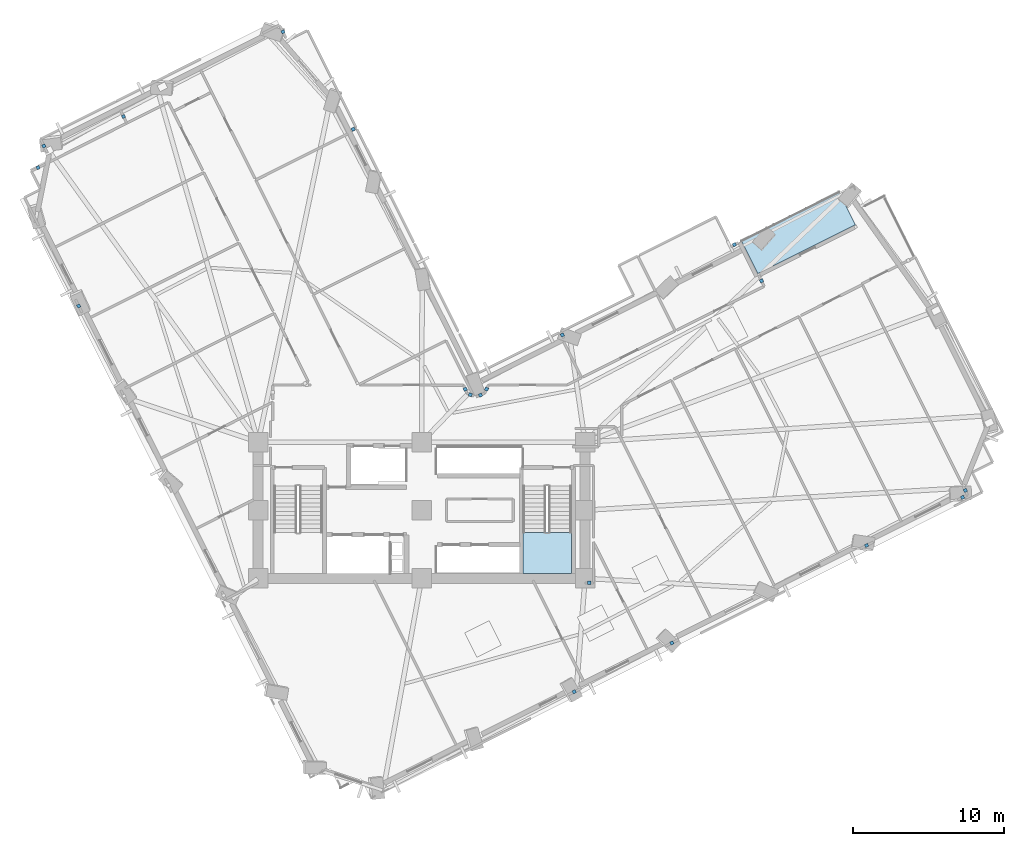
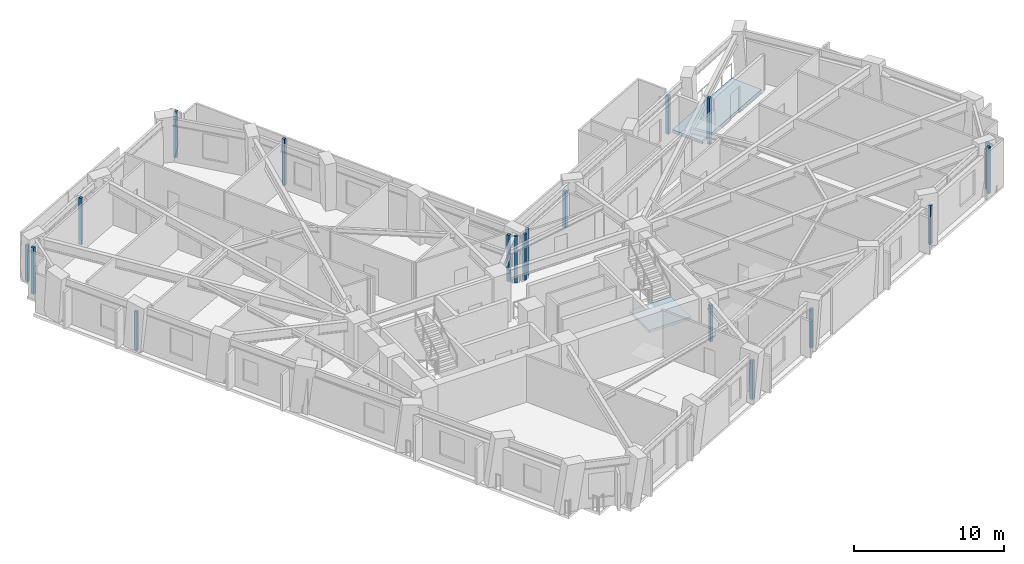
# One storey, part 5 of 16: 19 plates, 2 slabs, 1 element without a shape of its own.
"""IFC4 building model written with IfcOpenShell, lengths in metres."""

import ifcopenshell
import ifcopenshell.guid

model = None  # the IFC model being written
_history = None  # IfcOwnerHistory: only IFC2X3 demands one
_inside = {}  # id of a spatial element -> (the spatial element, [elements in it])
_under = {}  # id of a project, library or spatial element -> (it, [spatial elements below it])
_declared = {}  # id of a project -> (the project, [libraries it declares])
_typed = {}  # id of a type object -> (the type object, [elements of that type])
_made_of = {}  # id of a material, layer set ... -> (it, [elements and type objects made of it])


def new_model(schema):
    """Start an empty IFC model of exactly this schema.

    Asked for "IFC4X3", IfcOpenShell would pick the latest addendum, in which some entities
    have other attributes; the version numbers below select the first issue.
    IFC2X3 requires an IfcOwnerHistory on every rooted entity: one is made here for all.
    """
    global model, _history
    if schema == "IFC4X3":
        model = ifcopenshell.file(schema_version=(4, 3, 0, 0))
    else:
        model = ifcopenshell.file(schema=schema)
    _inside.clear()
    _under.clear()
    _declared.clear()
    _typed.clear()
    _made_of.clear()
    _history = None
    if model.schema == "IFC2X3":
        org = make("IfcOrganization", Name="unknown")
        user = make(
            "IfcPersonAndOrganization",
            ThePerson=make("IfcPerson", FamilyName="unknown"),
            TheOrganization=org,
        )
        app = make(
            "IfcApplication",
            ApplicationDeveloper=org,
            Version="unknown",
            ApplicationFullName="unknown",
            ApplicationIdentifier="unknown",
        )
        _history = make(
            "IfcOwnerHistory",
            OwningUser=user,
            OwningApplication=app,
            ChangeAction="ADDED",
            CreationDate=0,
        )
    return model


def make(cls, **values):
    """One entity of the class cls with the attributes given. An attribute that is None is left unset."""
    return model.create_entity(
        cls, **{name: value for name, value in values.items() if value is not None}
    )


def rooted(cls, **values):
    """An entity with a GlobalId (a new one), such as an element, a storey or a relation."""
    return make(cls, GlobalId=ifcopenshell.guid.new(), OwnerHistory=_history, **values)


def si_unit(unit_type, name, prefix=None):
    """IfcSIUnit, for example si_unit("LENGTHUNIT", "METRE", prefix="MILLI")."""
    return make("IfcSIUnit", UnitType=unit_type, Prefix=prefix, Name=name)


def assignment(units):
    """IfcUnitAssignment: the units of a project."""
    return None if units is None else make("IfcUnitAssignment", Units=units)


def point(xyz):
    """IfcCartesianPoint."""
    return None if xyz is None else make("IfcCartesianPoint", Coordinates=xyz)


def direction(xyz):
    """IfcDirection."""
    return None if xyz is None else make("IfcDirection", DirectionRatios=xyz)


def frame(location, z_axis=None, x_axis=None):
    """IfcAxis2Placement3D, a coordinate frame: its origin and axes. An axis left out is left unset."""
    return make(
        "IfcAxis2Placement3D",
        Location=point(location),
        Axis=direction(z_axis),
        RefDirection=direction(x_axis),
    )


def frame_2d(location, x_axis=None):
    """IfcAxis2Placement2D, a coordinate frame in the plane: its origin and x axis."""
    return make(
        "IfcAxis2Placement2D", Location=point(location), RefDirection=direction(x_axis)
    )


def origin():
    """The frame at (0, 0, 0) with its axes left unset."""
    return frame((0.0, 0.0, 0.0))


def origin_2d():
    """The frame at (0, 0) in the plane with its x axis left unset."""
    return frame_2d((0.0, 0.0))


def place(relative_to, where):
    """IfcLocalPlacement: puts the frame where relative to a parent placement (None: the world)."""
    return make(
        "IfcLocalPlacement", PlacementRelTo=relative_to, RelativePlacement=where
    )


def context(
    kind, dimensions, precision=None, world=None, true_north=None, identifier=None
):
    """IfcGeometricRepresentationContext, for example the 3D "Model" context."""
    return make(
        "IfcGeometricRepresentationContext",
        ContextIdentifier=identifier,
        ContextType=kind,
        CoordinateSpaceDimension=dimensions,
        Precision=precision,
        WorldCoordinateSystem=world,
        TrueNorth=true_north,
    )


def subcontext(parent, identifier, kind, view, scale=None):
    """IfcGeometricRepresentationSubContext, for example "Body" below "Model"."""
    return make(
        "IfcGeometricRepresentationSubContext",
        ContextIdentifier=identifier,
        ContextType=kind,
        ParentContext=parent,
        TargetScale=scale,
        TargetView=view,
    )


def project(units=None, contexts=None):
    """IfcProject with its units and contexts."""
    return rooted(
        "IfcProject",
        Name="project",
        RepresentationContexts=contexts,
        UnitsInContext=assignment(units),
    )


def spatial(cls, under=None, at=None, **own):
    """A site, building, storey or space (cls), placed at a placement, below another one or the project."""
    s = rooted(cls, ObjectPlacement=at, **own)
    if under is not None:
        _under.setdefault(under.id(), (under, []))[1].append(s)
    return s


def polyline(points):
    """IfcPolyline through the points."""
    return make("IfcPolyline", Points=[point(p) for p in points])


def profile(cls, at=None, kind="AREA", **sizes):
    """A parametric profile (cls). Its sizes go by their IFC names, for example OverallWidth=200.0."""
    return make(cls, ProfileType=kind, Position=at, **sizes)


def rectangle(**sizes):
    """IfcRectangleProfileDef."""
    return profile("IfcRectangleProfileDef", **sizes)


def outline(outer, holes=None, kind="AREA"):
    """IfcArbitraryClosedProfileDef: a profile drawn as a closed curve; with holes, ...WithVoids."""
    if holes is None:
        return make("IfcArbitraryClosedProfileDef", ProfileType=kind, OuterCurve=outer)
    return make(
        "IfcArbitraryProfileDefWithVoids",
        ProfileType=kind,
        OuterCurve=outer,
        InnerCurves=holes,
    )


def extrude(swept, where, along, depth):
    """IfcExtrudedAreaSolid: the profile swept, set in the frame where, extruded along a direction by depth."""
    return make(
        "IfcExtrudedAreaSolid",
        SweptArea=swept,
        Position=where,
        ExtrudedDirection=direction(along),
        Depth=depth,
    )


def shape(context_of_items, identifier, shape_type, items):
    """IfcShapeRepresentation: the items that make up one representation, for example the "Body"."""
    return make(
        "IfcShapeRepresentation",
        ContextOfItems=context_of_items,
        RepresentationIdentifier=identifier,
        RepresentationType=shape_type,
        Items=items,
    )


def material(Name=None, Category=None):
    """IfcMaterial."""
    return make("IfcMaterial", Name=Name, Category=Category)


def layer(
    of_material, thickness, ventilated=None, Name=None, Category=None, Priority=None
):
    """IfcMaterialLayer: one layer of a wall or slab, of a material (None: an air gap)."""
    return make(
        "IfcMaterialLayer",
        Material=of_material,
        LayerThickness=thickness,
        IsVentilated=ventilated,
        Name=Name,
        Category=Category,
        Priority=Priority,
    )


def layer_set(layers, Name=None):
    """IfcMaterialLayerSet."""
    return make("IfcMaterialLayerSet", MaterialLayers=layers, LayerSetName=Name)


def made_of(thing, what):
    """Note that an element or type object is made of a material, layer set ...; save() writes the relation."""
    if what is not None:
        _made_of.setdefault(what.id(), (what, []))[1].append(thing)
    return thing


def type_object(cls, material=None, **own):
    """A type object (cls), such as IfcWallType, which elements share."""
    return made_of(rooted(cls, **own), material)


def element(
    cls,
    number,
    at=None,
    inside=None,
    cuts=None,
    type_object=None,
    material=None,
    context=None,
    identifier="Body",
    shape_type=None,
    held_by="IfcProductDefinitionShape",
    body=None,
    shapes=None,
    **own,
):
    """One element of the class cls, such as IfcWall. Its Tag is "e" and its number.

    at: its placement. inside: the storey or other place that contains it. cuts: it is an
    opening in that element (IfcRelVoidsElement). A single representation is given by context,
    identifier, shape_type and body (its items); several are given by shapes. held_by: the class
    of the entity that holds the representations. save() writes the other relations.
    """
    e = rooted(cls, Tag="e%d" % number, ObjectPlacement=at, **own)
    if body is not None:
        shapes = [shape(context, identifier, shape_type, body)]
    if shapes is not None:
        e.Representation = make(held_by, Representations=shapes)
    if inside is not None:
        _inside.setdefault(inside.id(), (inside, []))[1].append(e)
    if cuts is not None:
        rooted(
            "IfcRelVoidsElement", RelatingBuildingElement=cuts, RelatedOpeningElement=e
        )
    if type_object is not None:
        _typed.setdefault(type_object.id(), (type_object, []))[1].append(e)
    return made_of(e, material)


def aggregate(whole, parts):
    """IfcRelAggregates: a whole, such as a stair, and the parts it consists of."""
    return rooted("IfcRelAggregates", RelatingObject=whole, RelatedObjects=parts)


def save(model, path):
    """Write the relations noted so far, then the file.

    IfcRelAggregates (storeys below a building ...), IfcRelContainedInSpatialStructure (elements
    in a storey), IfcRelDefinesByType, IfcRelAssociatesMaterial and IfcRelDeclares: one each for
    every whole, place, type object, material and project.
    """
    for whole, parts in _under.values():
        aggregate(whole, parts)
    for where, things in _inside.values():
        rooted(
            "IfcRelContainedInSpatialStructure",
            RelatedElements=things,
            RelatingStructure=where,
        )
    for kind, things in _typed.values():
        rooted("IfcRelDefinesByType", RelatedObjects=things, RelatingType=kind)
    for what, things in _made_of.values():
        rooted("IfcRelAssociatesMaterial", RelatedObjects=things, RelatingMaterial=what)
    for by, libraries in _declared.values():
        rooted("IfcRelDeclares", RelatingContext=by, RelatedDefinitions=libraries)
    model.write(path)


model = new_model("IFC4")

# Units and contexts
model_context = context("Model", 3, precision=1e-05, world=origin(), true_north=direction((0.0, 1.0)))
body_context = subcontext(model_context, "Body", "Model", "MODEL_VIEW")
ifc_project = project(units=[si_unit("LENGTHUNIT", "METRE"), si_unit("AREAUNIT", "SQUARE_METRE"), si_unit("VOLUMEUNIT", "CUBIC_METRE"), si_unit("PLANEANGLEUNIT", "RADIAN"), si_unit("MASSUNIT", "GRAM", prefix="KILO")], contexts=[model_context])

# Site, building, storey
site_placement = place(None, origin())
site = spatial("IfcSite", under=ifc_project, at=site_placement, CompositionType="ELEMENT")
building_placement = place(site_placement, origin())
building = spatial("IfcBuilding", under=site, at=building_placement, Name="Gaonmaruhae Medical Tower", CompositionType="ELEMENT")
storey_placement = place(building_placement, frame((0.0, 0.0, 136.39990234375)))
storey = spatial("IfcBuildingStorey", under=building, at=storey_placement, Name="L32", CompositionType="ELEMENT", Elevation=136.39990234375)

# Plates
ifc_material_1 = material(Name="Anodised aluminium 6063-T6", Category="aluminium")
ifc_layer_1 = layer(ifc_material_1, 0.011962890625)
ifc_layer_set_1 = layer_set([ifc_layer_1], Name="Anodised aluminium 6063-T6")
plate_type = type_object("IfcPlateType", Name="PP-01 Interior Partition Corner Stiffener Plate", PredefinedType="SHEET", material=ifc_layer_set_1)
plate_1_placement = place(storey_placement, frame((34.889404296875, 0.304443359375, 0.0), z_axis=(0.0, 0.0, 1.0), x_axis=(-0.893810118919, -0.448445616901, 0.0)))
element("IfcPlate", 1, at=plate_1_placement, inside=storey, type_object=plate_type, Name="L32 Partition Corner Stiffener Plate PLT-L32-JGP-PW009", PredefinedType="SHEET", context=body_context, shape_type="SweptSolid", body=[
    extrude(rectangle(XDim=0.219970703125, YDim=0.219970703125, at=origin_2d()), origin(), (0.0, 0.0, 1.0), 3.1650390625),
])
plate_2_placement = place(storey_placement, frame((35.875, 7.5, 0.0), z_axis=(0.0, 0.0, 1.0), x_axis=(1.0, 0.0, 0.0)))
element("IfcPlate", 2, at=plate_2_placement, inside=storey, type_object=plate_type, Name="L32 Partition Corner Stiffener Plate PLT-L32-JGP-PW012", PredefinedType="SHEET", context=body_context, shape_type="SweptSolid", body=[
    extrude(rectangle(XDim=0.219970703125, YDim=0.219970703125, at=origin_2d()), origin(), (0.0, 0.0, 1.0), 2.965087890625),
])
for number, where, z_axis, x_axis, name in (
    (3, (41.326904296875, 3.528076171875, 0.0), (0.0, 0.0, 1.0), (-0.894021344687, -0.448024369028, 0.0), "L32 Partition Corner Stiffener Plate PLT-L32-JGP-PW019"),
    (4, (54.201904296875, 9.97607421875, 0.0), (0.0, 0.0, 1.0), (-0.894013525051, -0.448039972576, 0.0), "L32 Partition Corner Stiffener Plate PLT-L32-JGP-PW030"),
):
    element("IfcPlate", number, at=place(storey_placement, frame(where, z_axis=z_axis, x_axis=x_axis)), inside=storey, type_object=plate_type, Name=name, PredefinedType="SHEET", context=body_context, shape_type="SweptSolid", body=[
        extrude(rectangle(XDim=0.219970703125, YDim=0.219970703125, at=origin_2d()), origin(), (0.0, 0.0, 1.0), 3.1650390625),
    ])
for number, where, z_axis, x_axis, name in (
    (5, (60.724609375, 13.6025390625, 0.0), (0.0, 0.0, 1.0), (0.447837115811, -0.894115159083, 0.0), "L32 Partition Corner Stiffener Plate PLT-L32-JGP-PW033"),
    (6, (60.5439453125, 13.15087890625, 0.0), (0.0, 0.0, 1.0), (-0.893872725027, -0.448320813094, 0.0), "L32 Partition Corner Stiffener Plate PLT-L32-JGP-PW034"),
):
    element("IfcPlate", number, at=place(storey_placement, frame(where, z_axis=z_axis, x_axis=x_axis)), inside=storey, type_object=plate_type, Name=name, PredefinedType="SHEET", context=body_context, shape_type="SweptSolid", body=[
        extrude(rectangle(XDim=0.219970703125, YDim=0.219970703125, at=origin_2d()), origin(), (0.0, 0.0, 1.0), 3.780029296875),
    ])
plate_3_placement = place(storey_placement, frame((2.146484375, 25.79248046875, 0.0), z_axis=(0.0, 0.0, 1.0), x_axis=(-0.448461216762, 0.893802291931, 0.0)))
element("IfcPlate", 7, at=plate_3_placement, inside=storey, type_object=plate_type, Name="L32 Partition Corner Stiffener Plate PLT-L32-JGP-PW054", PredefinedType="SHEET", context=body_context, shape_type="SweptSolid", body=[
    extrude(rectangle(XDim=0.219970703125, YDim=0.219970703125, at=origin_2d()), origin(), (0.0, 0.0, 1.0), 3.1650390625),
])
for number, where, z_axis, x_axis, name in (
    (8, (-0.541015625, 34.935546875, 0.0), (0.0, 0.0, 1.0), (0.894427590455, 0.44721279659, 0.0), "L32 Partition Corner Stiffener Plate PLT-L32-JGP-PW055"),
    (9, (28.02001953125, 19.93310546875, 0.0), (0.0, 0.0, 1.0), (-0.923919601961, 0.382586681829, 0.0), "L32 Partition Corner Stiffener Plate PLT-L32-JGP-PW064"),
    (10, (27.6826171875, 20.2939453125, 0.0), (0.0, 0.0, 1.0), (-0.382409294949, 0.923993036303, 0.0), "L32 Partition Corner Stiffener Plate PLT-L32-JGP-PW065"),
    (11, (29.094970703125, 20.303466796875, 0.0), (0.0, 0.0, 1.0), (-0.406449624239, -0.913673192644, 0.0), "L32 Partition Corner Stiffener Plate PLT-L32-JGP-PW066"),
    (12, (28.68798828125, 19.909423828125, 0.0), (0.0, 0.0, 1.0), (-0.924039749516, -0.38229640505, 0.0), "L32 Partition Corner Stiffener Plate PLT-L32-JGP-PW067"),
):
    element("IfcPlate", number, at=place(storey_placement, frame(where, z_axis=z_axis, x_axis=x_axis)), inside=storey, type_object=plate_type, Name=name, PredefinedType="SHEET", context=body_context, shape_type="SweptSolid", body=[
        extrude(rectangle(XDim=0.219970703125, YDim=0.219970703125, at=origin_2d()), origin(), (0.0, 0.0, 1.0), 3.780029296875),
    ])
plate_4_placement = place(storey_placement, frame((34.089599609375, 23.884033203125, 0.0), z_axis=(0.0, 0.0, 1.0), x_axis=(-0.44721279659, 0.894427590455, 0.0)))
element("IfcPlate", 13, at=plate_4_placement, inside=storey, type_object=plate_type, Name="L32 Partition Corner Stiffener Plate PLT-L32-JGP-PW077", PredefinedType="SHEET", context=body_context, shape_type="SweptSolid", body=[
    extrude(rectangle(XDim=0.219970703125, YDim=0.219970703125, at=origin_2d()), origin(), (0.0, 0.0, 1.0), 2.965087890625),
])
plate_5_placement = place(storey_placement, frame((47.256103515625, 27.45556640625, 0.0), z_axis=(0.0, 0.0, 1.0), x_axis=(0.447712269419, -0.894177680225, 0.0)))
element("IfcPlate", 14, at=plate_5_placement, inside=storey, type_object=plate_type, Name="L32 Partition Corner Stiffener Plate PLT-L32-JGP-PW080", PredefinedType="SHEET", context=body_context, shape_type="SweptSolid", body=[
    extrude(rectangle(XDim=0.219970703125, YDim=0.219970703125, at=origin_2d()), origin(), (0.0, 0.0, 1.0), 3.780029296875),
])
plate_6_placement = place(storey_placement, frame((45.472412109375, 29.85009765625, 0.0), z_axis=(0.0, 0.0, 1.0), x_axis=(0.894068256787, 0.447930744876, 0.0)))
element("IfcPlate", 15, at=plate_6_placement, inside=storey, type_object=plate_type, Name="L32 Partition Corner Stiffener Plate PLT-L32-JGP-PW084", PredefinedType="SHEET", context=body_context, shape_type="SweptSolid", body=[
    extrude(rectangle(XDim=0.219970703125, YDim=0.219970703125, at=origin_2d()), origin(), (0.0, 0.0, 1.0), 3.14501953125),
])
for number, where, z_axis, x_axis, name in (
    (16, (20.281005859375, 37.47802734375, 0.0), (0.0, 0.0, 1.0), (-0.893332174447, -0.449396958266, 0.0), "L32 Partition Corner Stiffener Plate PLT-L32-JGP-PW092"),
    (17, (15.64111328125, 43.9130859375, 0.0), (0.0, 0.0, 1.0), (0.448960340163, -0.893551684549, 0.0), "L32 Partition Corner Stiffener Plate PLT-L32-JGP-PW095"),
    (18, (5.103515625, 38.3134765625, 0.0), (0.0, 0.0, 1.0), (0.447634235991, -0.894216747086, 0.0), "L32 Partition Corner Stiffener Plate PLT-L32-JGP-PW097"),
):
    element("IfcPlate", number, at=place(storey_placement, frame(where, z_axis=z_axis, x_axis=x_axis)), inside=storey, type_object=plate_type, Name=name, PredefinedType="SHEET", context=body_context, shape_type="SweptSolid", body=[
        extrude(rectangle(XDim=0.219970703125, YDim=0.219970703125, at=origin_2d()), origin(), (0.0, 0.0, 1.0), 3.780029296875),
    ])
plate_7_placement = place(storey_placement, frame((-0.153076171875, 36.3701171875, 0.0), z_axis=(0.0, 0.0, 1.0), x_axis=(-0.447993161523, 0.894036983143, 0.0)))
element("IfcPlate", 19, at=plate_7_placement, inside=storey, type_object=plate_type, Name="L32 Partition Corner Stiffener Plate PLT-L32-JGP-PW098", PredefinedType="SHEET", context=body_context, shape_type="SweptSolid", body=[
    extrude(rectangle(XDim=0.219970703125, YDim=0.219970703125, at=origin_2d()), origin(), (0.0, 0.0, 1.0), 2.965087890625),
])

# Stair, slab
ifc_material_2 = material(Name="Concrete C40/50", Category="concrete")
stair_type = type_object("IfcStairType", Name="ST-T1 Primary Core Escape Dogleg Stair", PredefinedType="TWO_QUARTER_TURN_STAIR", material=ifc_material_2)
stair_placement = place(storey_placement, origin())
stair = element("IfcStair", 20, at=stair_placement, inside=storey, type_object=stair_type, Name="L32 Protected Escape Stair ST-02", PredefinedType="TWO_QUARTER_TURN_STAIR")
ifc_layer_2 = layer(ifc_material_2, 0.199951171875)
ifc_layer_set_2 = layer_set([ifc_layer_2], Name="Concrete C40/50")
slab_type_1 = type_object("IfcSlabType", Name="SL-200 Stair & Ramp Intermediate Concrete Landing", PredefinedType="LANDING", material=ifc_layer_set_2)
slab_1_placement = place(storey_placement, frame((0.0, 0.0, 1.800048828125)))
slab_1 = element("IfcSlab", 21, at=slab_1_placement, type_object=slab_type_1, Name="ST-02 landing 1", PredefinedType="LANDING", context=body_context, shape_type="SweptSolid", body=[
    extrude(outline(polyline([(31.5, 10.820068359375), (31.5, 8.12890625), (34.699951171875, 8.12890625), (34.699951171875, 10.820068359375), (31.5, 10.820068359375)])), origin(), (0.0, 0.0, 1.0), 0.199951171875),
])
aggregate(stair, [slab_1])

# Slab
ifc_layer_3 = layer(ifc_material_2, 0.239990234375)
ifc_layer_set_3 = layer_set([ifc_layer_3], Name="Concrete C40/50")
slab_type_2 = type_object("IfcSlabType", Name="TS-240 Sky Garden & Recovery Terrace Slab", PredefinedType="FLOOR", material=ifc_layer_set_3)
slab_2_placement = place(storey_placement, frame((0.0, 0.0, -0.239990234375)))
element("IfcSlab", 22, at=slab_2_placement, inside=storey, type_object=slab_type_2, Name="L32 Outdoor Recovery Terrace Slab", PredefinedType="FLOOR", context=body_context, shape_type="SweptSolid", body=[
    extrude(outline(polyline([(47.014404296875, 27.938720703125), (53.452392578125, 31.16259765625), (52.377685546875, 33.30859375), (45.93994140625, 30.084716796875), (47.014404296875, 27.938720703125)])), origin(), (0.0, 0.0, 1.0), 0.239990234375),
])

save(model, "model.ifc")
